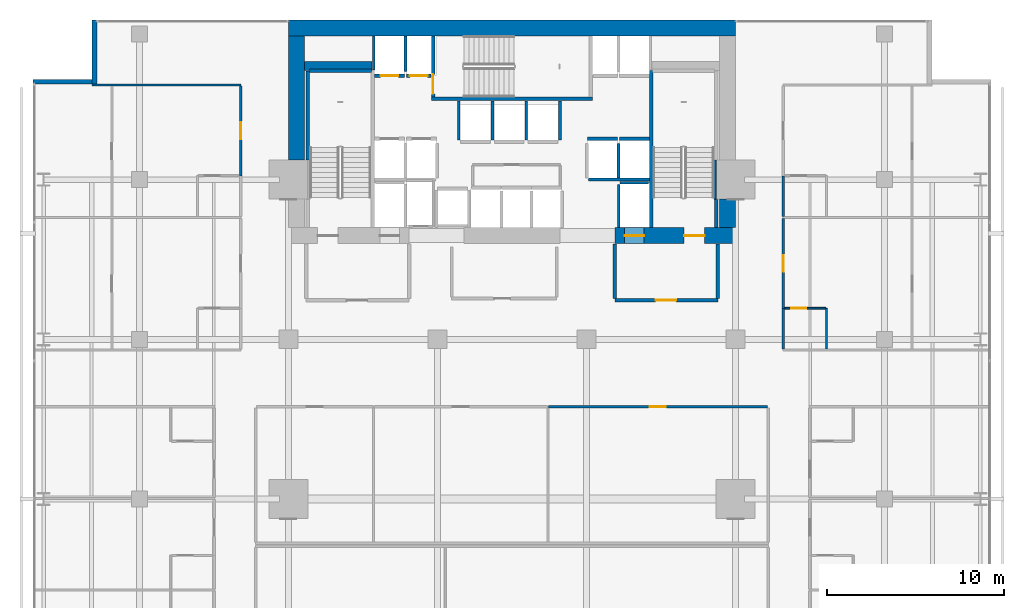
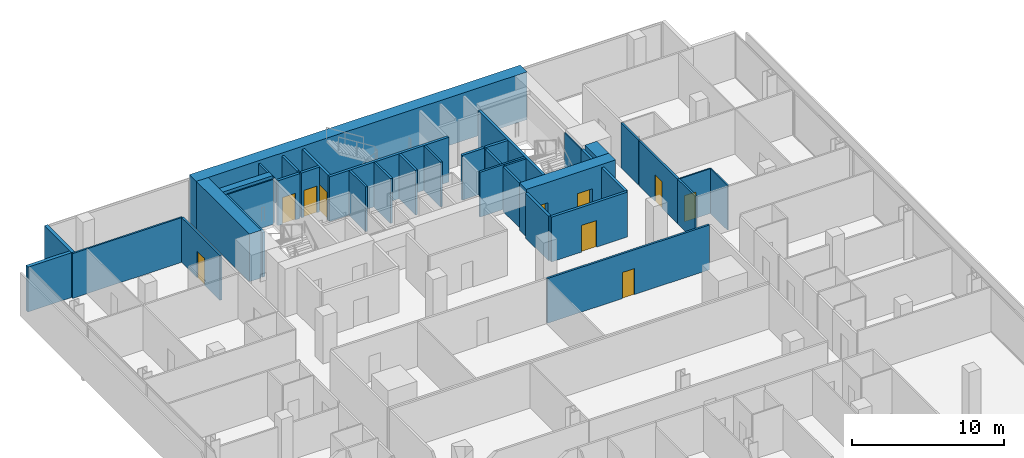
# One storey, part 36 of 40: 39 walls, 10 doors, 10 openings.
"""IFC4 building model written with IfcOpenShell, lengths in metres."""

from ifc_helpers import new_model, si_unit, direction, frame, frame_2d, origin, place, context, subcontext, project, spatial, rectangle, extrude, material, layer, layer_set, type_object, element, fill, save


model = new_model("IFC4")

# Units and contexts
model_context = context("Model", 3, precision=1e-05, world=origin(), true_north=direction((0.0, 1.0)))
body_context = subcontext(model_context, "Body", "Model", "MODEL_VIEW")
ifc_project = project(units=[si_unit("LENGTHUNIT", "METRE"), si_unit("AREAUNIT", "SQUARE_METRE"), si_unit("VOLUMEUNIT", "CUBIC_METRE"), si_unit("PLANEANGLEUNIT", "RADIAN"), si_unit("MASSUNIT", "GRAM", prefix="KILO")], contexts=[model_context])

# Site, building, storey
site_placement = place(None, origin())
site = spatial("IfcSite", under=ifc_project, at=site_placement, CompositionType="ELEMENT")
building_placement = place(site_placement, origin())
building = spatial("IfcBuilding", under=site, at=building_placement, Name="Maruvema Waterfront Hotel and Observation Tower", CompositionType="ELEMENT")
storey_placement = place(building_placement, frame((0.0, 0.0, 42.35009765625)))
storey = spatial("IfcBuildingStorey", under=building, at=storey_placement, Name="L09", CompositionType="ELEMENT", Elevation=42.35009765625)

# Wall, opening, door
ifc_material_1 = material(Name="Twin-stud acoustic gypsum drywall", Category="gypsum")
ifc_layer_1 = layer(ifc_material_1, 0.14990234375, Name="Acoustic Corridor and Suite Demising Wall 150 mm")
ifc_layer_set_1 = layer_set([ifc_layer_1], Name="Twin-stud acoustic gypsum drywall")
wall_type_1 = type_object("IfcWallType", Name="Acoustic Corridor and Suite Demising Wall 150 mm", PredefinedType="PARTITIONING", material=ifc_layer_set_1)
wall_1_placement = place(storey_placement, frame((39.85302734375, 32.199951171875, 0.0), z_axis=(0.0, 0.0, 1.0), x_axis=(1.0, 0.0, 0.0)))
wall_1 = element("IfcWall", 1, at=wall_1_placement, inside=storey, type_object=wall_type_1, Name="L09 L09-INTN Front 3 023", PredefinedType="PARTITIONING", context=body_context, shape_type="SweptSolid", body=[
    extrude(rectangle(XDim=12.3369140625, YDim=0.14990234375, at=frame_2d((6.16845703125, 0.0))), origin(), (0.0, 0.0, 1.0), 3.60986328125),
])
opening_1_placement = place(wall_1_placement, frame((5.718505859375, 0.0, 0.0)))
opening_1 = element("IfcOpeningElement", 2, at=opening_1_placement, cuts=wall_1, Name="Opening DR-090", PredefinedType="OPENING", context=body_context, shape_type="SweptSolid", body=[
    extrude(rectangle(XDim=0.89990234375, YDim=2.10009765625, at=frame_2d((0.449951171875, 1.050048828125))), frame((0.0, 0.0849609375, 0.0), z_axis=(0.0, -1.0, 0.0), x_axis=(1.0, 0.0, 0.0)), (0.0, 0.0, 1.0), 0.169921875),
])
ifc_material_2 = material(Name="Solid-core lacquered timber leaf", Category="wood")
door_type_1 = type_object("IfcDoorType", Name="Accessible Toilet and Room Door 900x2100 mm", OperationType="NOTDEFINED", PredefinedType="DOOR", material=ifc_material_2)
door_1_placement = place(opening_1_placement, origin())
door_1 = element("IfcDoor", 3, at=door_1_placement, inside=storey, type_object=door_type_1, Name="L09 Butler Kitchenette Door", OperationType="SINGLE_SWING_RIGHT", OverallHeight=2.10009765625, OverallWidth=0.89990234375, PredefinedType="DOOR", context=body_context, shape_type="SweptSolid", body=[
    extrude(rectangle(XDim=0.89990234375, YDim=2.10009765625, at=frame_2d((0.449951171875, 1.050048828125))), frame((0.0, 0.02490234375, 0.0), z_axis=(0.0, -1.0, 0.0), x_axis=(1.0, 0.0, 0.0)), (0.0, 0.0, 1.0), 0.050048828125),
])
fill(opening_1, door_1)

# Wall
wall_2_placement = place(storey_placement, frame((53.080078125, 35.4599609375, 0.0), z_axis=(0.0, 0.0, 1.0), x_axis=(0.0, 1.0, 0.0)))
element("IfcWall", 4, at=wall_2_placement, inside=storey, type_object=wall_type_1, Name="L09 Bath L09-NE1 Wall 100", PredefinedType="PARTITIONING", context=body_context, shape_type="SweptSolid", body=[
    extrude(rectangle(XDim=2.2900390625, YDim=0.14990234375, at=frame_2d((1.14501953125, 0.0))), origin(), (0.0, 0.0, 1.0), 3.60986328125),
])

# Wall, opening, door
wall_3_placement = place(storey_placement, frame((53.080078125, 37.75, 0.0), z_axis=(0.0, 0.0, 1.0), x_axis=(0.0, 1.0, 0.0)))
wall_3 = element("IfcWall", 5, at=wall_3_placement, inside=storey, type_object=wall_type_1, Name="L09 Room L09-NE1 Corridor Wall 101", PredefinedType="PARTITIONING", context=body_context, shape_type="SweptSolid", body=[
    extrude(rectangle(XDim=5.05859375, YDim=0.14990234375, at=frame_2d((2.529296875, 0.0))), origin(), (0.0, 0.0, 1.0), 3.60986328125),
])
opening_2_placement = place(wall_3_placement, frame((2.054443359375, 0.0, 0.0)))
opening_2 = element("IfcOpeningElement", 6, at=opening_2_placement, cuts=wall_3, Name="Opening DR-095", PredefinedType="OPENING", context=body_context, shape_type="SweptSolid", body=[
    extrude(rectangle(XDim=0.949951171875, YDim=2.14990234375, at=frame_2d((0.47509765625, 1.074951171875))), frame((0.0, 0.0849609375, 0.0), z_axis=(0.0, -1.0, 0.0), x_axis=(1.0, 0.0, 0.0)), (0.0, 0.0, 1.0), 0.169921875),
])
ifc_material_3 = material(Name="Acoustic solid-core hardwood timber leaf", Category="wood")
door_type_2 = type_object("IfcDoorType", Name="Guestroom Entrance Fire Door 950x2150 mm", OperationType="NOTDEFINED", PredefinedType="DOOR", material=ifc_material_3)
door_2_placement = place(opening_2_placement, frame((0.949951171875, 0.0, 0.0), z_axis=(0.0, 0.0, 1.0), x_axis=(-1.0, 0.0, 0.0)))
door_2 = element("IfcDoor", 7, at=door_2_placement, inside=storey, type_object=door_type_2, Name="L09 Room L09-NE1 Entrance Door", OperationType="SINGLE_SWING_LEFT", OverallHeight=2.14990234375, OverallWidth=0.949951171875, PredefinedType="DOOR", context=body_context, shape_type="SweptSolid", body=[
    extrude(rectangle(XDim=0.949951171875, YDim=2.14990234375, at=frame_2d((0.47509765625, 1.074951171875))), frame((0.0, 0.02490234375, 0.0), z_axis=(0.0, -1.0, 0.0), x_axis=(1.0, 0.0, 0.0)), (0.0, 0.0, 1.0), 0.050048828125),
])
fill(opening_2, door_2)

wall_4_placement = place(storey_placement, frame((22.52001953125, 45.21875, 0.0), z_axis=(0.0, 0.0, 1.0), x_axis=(0.0, 1.0, 0.0)))
wall_4 = element("IfcWall", 8, at=wall_4_placement, inside=storey, type_object=wall_type_1, Name="L09 Room L09-NW2 Corridor Wall 108", PredefinedType="PARTITIONING", context=body_context, shape_type="SweptSolid", body=[
    extrude(rectangle(XDim=5.058837890625, YDim=0.14990234375, at=frame_2d((2.529296875, 0.0))), origin(), (0.0, 0.0, 1.0), 3.60986328125),
])
opening_3_placement = place(wall_4_placement, frame((2.054443359375, 0.0, 0.0)))
opening_3 = element("IfcOpeningElement", 9, at=opening_3_placement, cuts=wall_4, Name="Opening DR-095", PredefinedType="OPENING", context=body_context, shape_type="SweptSolid", body=[
    extrude(rectangle(XDim=0.949951171875, YDim=2.14990234375, at=frame_2d((0.47509765625, 1.074951171875))), frame((0.0, 0.0849609375, 0.0), z_axis=(0.0, -1.0, 0.0), x_axis=(1.0, 0.0, 0.0)), (0.0, 0.0, 1.0), 0.169921875),
])
door_3_placement = place(opening_3_placement, origin())
door_3 = element("IfcDoor", 10, at=door_3_placement, inside=storey, type_object=door_type_2, Name="L09 Room L09-NW2 Entrance Door", OperationType="SINGLE_SWING_RIGHT", OverallHeight=2.14990234375, OverallWidth=0.949951171875, PredefinedType="DOOR", context=body_context, shape_type="SweptSolid", body=[
    extrude(rectangle(XDim=0.949951171875, YDim=2.14990234375, at=frame_2d((0.47509765625, 1.074951171875))), frame((0.0, 0.02490234375, 0.0), z_axis=(0.0, -1.0, 0.0), x_axis=(1.0, 0.0, 0.0)), (0.0, 0.0, 1.0), 0.050048828125),
])
fill(opening_3, door_3)

# Walls
wall_5_placement = place(storey_placement, frame((53.080078125, 42.9287109375, 0.0), z_axis=(0.0, 0.0, 1.0), x_axis=(0.0, 1.0, 0.0)))
element("IfcWall", 11, at=wall_5_placement, inside=storey, type_object=wall_type_1, Name="L09 Bath L09-NE2 Wall 112", PredefinedType="PARTITIONING", context=body_context, shape_type="SweptSolid", body=[
    extrude(rectangle(XDim=2.2900390625, YDim=0.14990234375, at=frame_2d((1.14501953125, 0.0))), origin(), (0.0, 0.0, 1.0), 3.60986328125),
])
ifc_material_4 = material(Name="Precast concrete C45/55", Category="concrete")
ifc_layer_2 = layer(ifc_material_4, 0.199951171875, Name="Core Shaft and Stairwell Enclosure Wall 200 mm")
ifc_layer_set_2 = layer_set([ifc_layer_2], Name="Precast concrete C45/55")
wall_type_2 = type_object("IfcWallType", Name="Core Shaft and Stairwell Enclosure Wall 200 mm", PredefinedType="SOLIDWALL", material=ifc_layer_set_2)
wall_6_placement = place(storey_placement, frame((26.300048828125, 46.1201171875, 0.0), z_axis=(0.0, 0.0, 1.0), x_axis=(0.0, 1.0, 0.0)))
element("IfcWall", 12, at=wall_6_placement, inside=storey, type_object=wall_type_2, Name="L09 Stairwell ST-01 Shaft Lining Wall", PredefinedType="SOLIDWALL", context=body_context, shape_type="SweptSolid", body=[
    extrude(rectangle(XDim=5.0, YDim=0.199951171875, at=frame_2d((2.5, 0.0))), origin(), (0.0, 0.0, 1.0), 3.60986328125),
])
wall_7_placement = place(storey_placement, frame((26.3798828125, 51.14990234375, 0.0), z_axis=(0.0, 0.0, 1.0), x_axis=(1.0, 0.0, 0.0)))
element("IfcWall", 13, at=wall_7_placement, inside=storey, type_object=wall_type_2, Name="L09 Stairwell ST-01 Shaft Lining Wall", PredefinedType="SOLIDWALL", context=body_context, shape_type="SweptSolid", body=[
    extrude(rectangle(XDim=3.5, YDim=0.199951171875, at=frame_2d((1.75, 0.0))), origin(), (0.0, 0.0, 1.0), 3.60986328125),
])
wall_8_placement = place(storey_placement, frame((33.25, 49.550048828125, 0.0), z_axis=(0.0, 0.0, 1.0), x_axis=(1.0, 0.0, 0.0)))
element("IfcWall", 14, at=wall_8_placement, inside=storey, type_object=wall_type_2, Name="L09 Stairwell ST-02 Shaft Wall", PredefinedType="SOLIDWALL", context=body_context, shape_type="SweptSolid", body=[
    extrude(rectangle(XDim=9.10009765625, YDim=0.199951171875, at=frame_2d((4.550048828125, 0.0))), origin(), (0.0, 0.0, 1.0), 3.60986328125),
])

# Wall, opening, door
wall_9_placement = place(storey_placement, frame((33.35009765625, 49.64990234375, 0.0), z_axis=(0.0, 0.0, 1.0), x_axis=(0.0, 1.0, 0.0)))
wall_9 = element("IfcWall", 15, at=wall_9_placement, inside=storey, type_object=wall_type_2, Name="L09 Stairwell ST-02 Shaft Wall", PredefinedType="SOLIDWALL", context=body_context, shape_type="SweptSolid", body=[
    extrude(rectangle(XDim=3.4501953125, YDim=0.199951171875, at=frame_2d((1.72509765625, 0.0))), origin(), (0.0, 0.0, 1.0), 3.60986328125),
])
opening_4_placement = place(wall_9_placement, frame((0.179931640625, 0.0, 0.0)))
opening_4 = element("IfcOpeningElement", 16, at=opening_4_placement, cuts=wall_9, Name="Opening SD-02", PredefinedType="OPENING", context=body_context, shape_type="SweptSolid", body=[
    extrude(rectangle(XDim=1.10009765625, YDim=2.14990234375, at=frame_2d((0.550048828125, 1.074951171875))), frame((0.0, 0.10986328125, 0.0), z_axis=(0.0, -1.0, 0.0), x_axis=(1.0, 0.0, 0.0)), (0.0, 0.0, 1.0), 0.219970703125),
])
ifc_material_5 = material(Name="Fire-rated galvanised steel leaf", Category="steel")
door_type_3 = type_object("IfcDoorType", Name="Central Exit Stair Fire Door 1100x2150 mm", OperationType="NOTDEFINED", PredefinedType="DOOR", material=ifc_material_5)
door_4_placement = place(opening_4_placement, frame((1.10009765625, 0.0, 0.0), z_axis=(0.0, 0.0, 1.0), x_axis=(-1.0, 0.0, 0.0)))
door_4 = element("IfcDoor", 17, at=door_4_placement, inside=storey, type_object=door_type_3, Name="L09 Exit Stair ST-02 Fire Door", OperationType="SINGLE_SWING_LEFT", OverallHeight=2.14990234375, OverallWidth=1.10009765625, PredefinedType="DOOR", context=body_context, shape_type="SweptSolid", body=[
    extrude(rectangle(XDim=1.10009765625, YDim=2.14990234375, at=frame_2d((0.550048828125, 1.074951171875))), frame((0.0, 0.02490234375, 0.0), z_axis=(0.0, -1.0, 0.0), x_axis=(1.0, 0.0, 0.0)), (0.0, 0.0, 1.0), 0.050048828125),
])
fill(opening_4, door_4)

# Walls
wall_10_placement = place(storey_placement, frame((45.64990234375, 42.300048828125, 0.0), z_axis=(0.0, 0.0, 1.0), x_axis=(0.0, 1.0, 0.0)))
element("IfcWall", 18, at=wall_10_placement, inside=storey, type_object=wall_type_2, Name="L09 Stairwell ST-03 West Shaft Wall", PredefinedType="SOLIDWALL", context=body_context, shape_type="SweptSolid", body=[
    extrude(rectangle(XDim=8.849853515625, YDim=0.199951171875, at=frame_2d((4.4248046875, 0.0))), origin(), (0.0, 0.0, 1.0), 3.60986328125),
])
wall_11_placement = place(storey_placement, frame((49.300048828125, 42.300048828125, 0.0), z_axis=(0.0, 0.0, 1.0), x_axis=(0.0, 1.0, 0.0)))
element("IfcWall", 19, at=wall_11_placement, inside=storey, type_object=wall_type_2, Name="L09 Stairwell ST-03 Shaft Lining Wall", PredefinedType="SOLIDWALL", context=body_context, shape_type="SweptSolid", body=[
    extrude(rectangle(XDim=1.579833984375, YDim=0.199951171875, at=frame_2d((0.7900390625, 0.0))), origin(), (0.0, 0.0, 1.0), 3.60986328125),
])

# Wall, opening, door
wall_12_placement = place(storey_placement, frame((30.06005859375, 50.85009765625, 0.0), z_axis=(0.0, 0.0, 1.0), x_axis=(1.0, 0.0, 0.0)))
wall_12 = element("IfcWall", 20, at=wall_12_placement, inside=storey, type_object=wall_type_2, Name="L09 Lift LF-03 Hoistway Front Wall", PredefinedType="SOLIDWALL", context=body_context, shape_type="SweptSolid", body=[
    extrude(rectangle(XDim=1.679931640625, YDim=0.199951171875, at=frame_2d((0.83984375, 0.0))), origin(), (0.0, 0.0, 1.0), 3.60986328125),
])
opening_5_placement = place(wall_12_placement, frame((0.340087890625, 0.0, 0.0)))
opening_5 = element("IfcOpeningElement", 21, at=opening_5_placement, cuts=wall_12, Name="Opening LD-01", PredefinedType="OPENING", context=body_context, shape_type="SweptSolid", body=[
    extrude(rectangle(XDim=1.0, YDim=2.14990234375, at=frame_2d((0.5, 1.074951171875))), frame((0.0, 0.10986328125, 0.0), z_axis=(0.0, -1.0, 0.0), x_axis=(1.0, 0.0, 0.0)), (0.0, 0.0, 1.0), 0.219970703125),
])
ifc_material_6 = material(Name="Brushed stainless steel Grade 316", Category="steel")
door_type_4 = type_object("IfcDoorType", Name="Passenger Lift Sliding Landing Door 1000x2150 mm", OperationType="SLIDING_TO_LEFT", PredefinedType="DOOR", material=ifc_material_6)
door_5_placement = place(opening_5_placement, frame((1.0, 0.0, 0.0), z_axis=(0.0, 0.0, 1.0), x_axis=(-1.0, 0.0, 0.0)))
door_5 = element("IfcDoor", 22, at=door_5_placement, inside=storey, type_object=door_type_4, Name="L09 Lift LF-03 Sliding Landing Door", OperationType="SLIDING_TO_LEFT", OverallHeight=2.14990234375, OverallWidth=1.0, PredefinedType="DOOR", context=body_context, shape_type="SweptSolid", body=[
    extrude(rectangle(XDim=1.0, YDim=2.14990234375, at=frame_2d((0.5, 1.074951171875))), frame((0.0, 0.02490234375, 0.0), z_axis=(0.0, -1.0, 0.0), x_axis=(1.0, 0.0, 0.0)), (0.0, 0.0, 1.0), 0.050048828125),
])
fill(opening_5, door_5)

wall_13_placement = place(storey_placement, frame((31.860107421875, 50.85009765625, 0.0), z_axis=(0.0, 0.0, 1.0), x_axis=(1.0, 0.0, 0.0)))
wall_13 = element("IfcWall", 23, at=wall_13_placement, inside=storey, type_object=wall_type_2, Name="L09 Lift LF-04 Hoistway Front Wall", PredefinedType="SOLIDWALL", context=body_context, shape_type="SweptSolid", body=[
    extrude(rectangle(XDim=1.3798828125, YDim=0.199951171875, at=frame_2d((0.68994140625, 0.0))), origin(), (0.0, 0.0, 1.0), 3.60986328125),
])
opening_6_placement = place(wall_13_placement, frame((0.18994140625, 0.0, 0.0)))
opening_6 = element("IfcOpeningElement", 24, at=opening_6_placement, cuts=wall_13, Name="Opening LD-01", PredefinedType="OPENING", context=body_context, shape_type="SweptSolid", body=[
    extrude(rectangle(XDim=1.0, YDim=2.14990234375, at=frame_2d((0.5, 1.074951171875))), frame((0.0, 0.10986328125, 0.0), z_axis=(0.0, -1.0, 0.0), x_axis=(1.0, 0.0, 0.0)), (0.0, 0.0, 1.0), 0.219970703125),
])
door_6_placement = place(opening_6_placement, frame((1.0, 0.0, 0.0), z_axis=(0.0, 0.0, 1.0), x_axis=(-1.0, 0.0, 0.0)))
door_6 = element("IfcDoor", 25, at=door_6_placement, inside=storey, type_object=door_type_4, Name="L09 Lift LF-04 Sliding Landing Door", OperationType="SLIDING_TO_LEFT", OverallHeight=2.14990234375, OverallWidth=1.0, PredefinedType="DOOR", context=body_context, shape_type="SweptSolid", body=[
    extrude(rectangle(XDim=1.0, YDim=2.14990234375, at=frame_2d((0.5, 1.074951171875))), frame((0.0, 0.02490234375, 0.0), z_axis=(0.0, -1.0, 0.0), x_axis=(1.0, 0.0, 0.0)), (0.0, 0.0, 1.0), 0.050048828125),
])
fill(opening_6, door_6)

# Walls
for number, where, z_axis, x_axis, name in (
    (26, (42.06005859375, 47.300048828125, 0.0), (0.0, 0.0, 1.0), (1.0, 0.0, 0.0), "L09 Lift LF-05 Hoistway Front Wall"),
    (27, (43.860107421875, 47.300048828125, 0.0), (0.0, 0.0, 1.0), (1.0, 0.0, 0.0), "L09 Lift LF-06 Hoistway Front Wall"),
):
    element("IfcWall", number, at=place(storey_placement, frame(where, z_axis=z_axis, x_axis=x_axis)), inside=storey, type_object=wall_type_2, Name=name, PredefinedType="SOLIDWALL", context=body_context, shape_type="SweptSolid", body=[
        extrude(rectangle(XDim=1.679931640625, YDim=0.199951171875, at=frame_2d((0.83984375, 0.0))), origin(), (0.0, 0.0, 1.0), 3.60986328125),
    ])
ifc_material_7 = material(Name="Concrete C70/85", Category="concrete")
ifc_layer_3 = layer(ifc_material_7, 0.5, Name="Core Shear Wall 500 mm")
ifc_layer_set_3 = layer_set([ifc_layer_3], Name="Concrete C70/85")
wall_type_3 = type_object("IfcWallType", Name="Core Shear Wall 500 mm", PredefinedType="SHEAR", material=ifc_layer_set_3)
wall_14_placement = place(storey_placement, frame((26.10009765625, 51.39990234375, 0.0), z_axis=(0.0, 0.0, 1.0), x_axis=(1.0, 0.0, 0.0)))
element("IfcWall", 28, at=wall_14_placement, inside=storey, type_object=wall_type_3, Name="L09 Internal Core Shear Wall NW 500 mm", PredefinedType="SHEAR", context=body_context, shape_type="SweptSolid", body=[
    extrude(rectangle(XDim=3.7998046875, YDim=0.5, at=frame_2d((1.89990234375, 0.0))), origin(), (0.0, 0.0, 1.0), 3.849853515625),
])
ifc_material_8 = material(Name="Concrete C80/95", Category="concrete")
ifc_layer_4 = layer(ifc_material_8, 0.89990234375, Name="Core Shear Wall 900 mm")
ifc_layer_set_4 = layer_set([ifc_layer_4], Name="Concrete C80/95")
wall_type_4 = type_object("IfcWallType", Name="Core Shear Wall 900 mm", PredefinedType="SHEAR", material=ifc_layer_set_4)
wall_15_placement = place(storey_placement, frame((25.199951171875, 53.550048828125, 0.0), z_axis=(0.0, 0.0, 1.0), x_axis=(1.0, 0.0, 0.0)))
element("IfcWall", 29, at=wall_15_placement, inside=storey, type_object=wall_type_4, Name="L09 North Core Shear Wall", PredefinedType="SHEAR", context=body_context, shape_type="SweptSolid", body=[
    extrude(rectangle(XDim=25.199951171875, YDim=0.89990234375, at=frame_2d((12.60009765625, 0.0))), origin(), (0.0, 0.0, 1.0), 3.849853515625),
])

# Wall, openings, doors
wall_16_placement = place(storey_placement, frame((43.60009765625, 41.85009765625, 0.0), z_axis=(0.0, 0.0, 1.0), x_axis=(1.0, 0.0, 0.0)))
wall_16 = element("IfcWall", 30, at=wall_16_placement, inside=storey, type_object=wall_type_4, Name="L09 South-East Core Shear Wall", PredefinedType="SHEAR", context=body_context, shape_type="SweptSolid", body=[
    extrude(rectangle(XDim=6.7998046875, YDim=0.89990234375, at=frame_2d((3.39990234375, 0.0))), origin(), (0.0, 0.0, 1.0), 3.849853515625),
])
opening_7_placement = place(wall_16_placement, frame((3.89990234375, 0.0, 0.0)))
opening_7 = element("IfcOpeningElement", 31, at=opening_7_placement, cuts=wall_16, Name="Opening SD-01", PredefinedType="OPENING", context=body_context, shape_type="SweptSolid", body=[
    extrude(rectangle(XDim=1.14990234375, YDim=2.14990234375, at=frame_2d((0.574951171875, 1.074951171875))), frame((0.0, 0.4599609375, 0.0), z_axis=(0.0, -1.0, 0.0), x_axis=(1.0, 0.0, 0.0)), (0.0, 0.0, 1.0), 0.919921875),
])
opening_8_placement = place(wall_16_placement, frame((0.550048828125, 0.0, 0.0)))
opening_8 = element("IfcOpeningElement", 32, at=opening_8_placement, cuts=wall_16, Name="Opening LD-03", PredefinedType="OPENING", context=body_context, shape_type="SweptSolid", body=[
    extrude(rectangle(XDim=1.10009765625, YDim=2.199951171875, at=frame_2d((0.550048828125, 1.10009765625))), frame((0.0, 0.4599609375, 0.0), z_axis=(0.0, -1.0, 0.0), x_axis=(1.0, 0.0, 0.0)), (0.0, 0.0, 1.0), 0.919921875),
])
ifc_material_9 = material(Name="Fire-rated galvanised steel leaf", Category="steel")
door_type_5 = type_object("IfcDoorType", Name="Exit Stair Fire Door 1150x2150 mm", OperationType="NOTDEFINED", PredefinedType="DOOR", material=ifc_material_9)
door_7_placement = place(opening_7_placement, origin())
door_7 = element("IfcDoor", 33, at=door_7_placement, inside=storey, type_object=door_type_5, Name="L09 Exit Stair ST-03 Fire Door", OperationType="SINGLE_SWING_RIGHT", OverallHeight=2.14990234375, OverallWidth=1.14990234375, PredefinedType="DOOR", context=body_context, shape_type="SweptSolid", body=[
    extrude(rectangle(XDim=1.14990234375, YDim=2.14990234375, at=frame_2d((0.574951171875, 1.074951171875))), frame((0.0, 0.02490234375, 0.0), z_axis=(0.0, -1.0, 0.0), x_axis=(1.0, 0.0, 0.0)), (0.0, 0.0, 1.0), 0.050048828125),
])
fill(opening_7, door_7)
ifc_material_10 = material(Name="Brushed stainless steel Grade 316", Category="steel")
door_type_6 = type_object("IfcDoorType", Name="Firefighting Lift Sliding Landing Door 1100x2200 mm", OperationType="SLIDING_TO_LEFT", PredefinedType="DOOR", material=ifc_material_10)
door_8_placement = place(opening_8_placement, frame((1.10009765625, 0.0, 0.0), z_axis=(0.0, 0.0, 1.0), x_axis=(-1.0, 0.0, 0.0)))
door_8 = element("IfcDoor", 34, at=door_8_placement, inside=storey, type_object=door_type_6, Name="L09 Firefighting Lift FL-02 Landing Door", OperationType="SLIDING_TO_LEFT", OverallHeight=2.199951171875, OverallWidth=1.10009765625, PredefinedType="DOOR", context=body_context, shape_type="SweptSolid", body=[
    extrude(rectangle(XDim=1.10009765625, YDim=2.199951171875, at=frame_2d((0.550048828125, 1.10009765625))), frame((0.0, 0.02490234375, 0.0), z_axis=(0.0, -1.0, 0.0), x_axis=(1.0, 0.0, 0.0)), (0.0, 0.0, 1.0), 0.050048828125),
])
fill(opening_8, door_8)

# Walls
wall_17_placement = place(storey_placement, frame((25.64990234375, 46.10009765625, 0.0), z_axis=(0.0, 0.0, 1.0), x_axis=(0.0, 1.0, 0.0)))
element("IfcWall", 35, at=wall_17_placement, inside=storey, type_object=wall_type_4, Name="L09 West-North Core Shear Wall", PredefinedType="SHEAR", context=body_context, shape_type="SweptSolid", body=[
    extrude(rectangle(XDim=7.0, YDim=0.89990234375, at=frame_2d((3.5, 0.0))), origin(), (0.0, 0.0, 1.0), 3.849853515625),
])
wall_18_placement = place(storey_placement, frame((49.949951171875, 42.300048828125, 0.0), z_axis=(0.0, 0.0, 1.0), x_axis=(0.0, 1.0, 0.0)))
element("IfcWall", 36, at=wall_18_placement, inside=storey, type_object=wall_type_4, Name="L09 East-South Core Shear Wall", PredefinedType="SHEAR", context=body_context, shape_type="SweptSolid", body=[
    extrude(rectangle(XDim=1.599853515625, YDim=0.89990234375, at=frame_2d((0.7998046875, 0.0))), origin(), (0.0, 0.0, 1.0), 3.849853515625),
])
ifc_material_11 = material(Name="Moisture-resistant cement-board drywall", Category="gypsum")
ifc_layer_5 = layer(ifc_material_11, 0.10009765625, Name="En-Suite Moisture-Resistant Partition 100 mm")
ifc_layer_set_5 = layer_set([ifc_layer_5], Name="Moisture-resistant cement-board drywall")
wall_type_5 = type_object("IfcWallType", Name="En-Suite Moisture-Resistant Partition 100 mm", PredefinedType="PARTITIONING", material=ifc_layer_set_5)
wall_19_placement = place(storey_placement, frame((55.530029296875, 35.4599609375, 0.0), z_axis=(0.0, 0.0, 1.0), x_axis=(0.0, 1.0, 0.0)))
element("IfcWall", 37, at=wall_19_placement, inside=storey, type_object=wall_type_5, Name="L09 En-Suite L09-NE1 E 102", PredefinedType="PARTITIONING", context=body_context, shape_type="SweptSolid", body=[
    extrude(rectangle(XDim=2.2900390625, YDim=0.10009765625, at=frame_2d((1.14501953125, 0.0))), origin(), (0.0, 0.0, 1.0), 3.60986328125),
])

# Wall, opening, door
wall_20_placement = place(storey_placement, frame((53.179931640625, 37.75, 0.0), z_axis=(0.0, 0.0, 1.0), x_axis=(1.0, 0.0, 0.0)))
wall_20 = element("IfcWall", 38, at=wall_20_placement, inside=storey, type_object=wall_type_5, Name="L09 En-Suite L09-NE1 N 103", PredefinedType="PARTITIONING", context=body_context, shape_type="SweptSolid", body=[
    extrude(rectangle(XDim=2.300048828125, YDim=0.10009765625, at=frame_2d((1.14990234375, 0.0))), origin(), (0.0, 0.0, 1.0), 3.60986328125),
])
opening_9_placement = place(wall_20_placement, frame((0.35009765625, 0.0, 0.0)))
opening_9 = element("IfcOpeningElement", 39, at=opening_9_placement, cuts=wall_20, Name="Opening DR-085", PredefinedType="OPENING", context=body_context, shape_type="SweptSolid", body=[
    extrude(rectangle(XDim=0.85009765625, YDim=2.10009765625, at=frame_2d((0.425048828125, 1.050048828125))), frame((0.0, 0.06005859375, 0.0), z_axis=(0.0, -1.0, 0.0), x_axis=(1.0, 0.0, 0.0)), (0.0, 0.0, 1.0), 0.1201171875),
])
ifc_material_12 = material(Name="Moisture-resistant solid timber leaf", Category="wood")
door_type_7 = type_object("IfcDoorType", Name="En-Suite Bathroom Door 850x2100 mm", OperationType="NOTDEFINED", PredefinedType="DOOR", material=ifc_material_12)
door_9_placement = place(opening_9_placement, origin())
door_9 = element("IfcDoor", 40, at=door_9_placement, inside=storey, type_object=door_type_7, Name="L09 En-Suite L09-NE1 Door", OperationType="SINGLE_SWING_RIGHT", OverallHeight=2.10009765625, OverallWidth=0.85009765625, PredefinedType="DOOR", context=body_context, shape_type="SweptSolid", body=[
    extrude(rectangle(XDim=0.85009765625, YDim=2.10009765625, at=frame_2d((0.425048828125, 1.050048828125))), frame((0.0, 0.02490234375, 0.0), z_axis=(0.0, -1.0, 0.0), x_axis=(1.0, 0.0, 0.0)), (0.0, 0.0, 1.0), 0.050048828125),
])
fill(opening_9, door_9)

# Walls
ifc_material_13 = material(Name="Precast concrete C45/55 with honed Pernambuco granite facing", Category="masonry")
ifc_layer_6 = layer(ifc_material_13, 0.260009765625, Name="Exterior Granite Clad Spandrel and Pier Wall 260 mm")
ifc_layer_set_6 = layer_set([ifc_layer_6], Name="Precast concrete C45/55 with honed Pernambuco granite facing")
wall_type_6 = type_object("IfcWallType", Name="Exterior Granite Clad Spandrel and Pier Wall 260 mm", PredefinedType="SOLIDWALL", material=ifc_layer_set_6)
wall_21_placement = place(storey_placement, frame((14.27001953125, 50.39990234375, 0.0), z_axis=(0.0, 0.0, 1.0), x_axis=(0.0, 1.0, 0.0)))
element("IfcWall", 41, at=wall_21_placement, inside=storey, type_object=wall_type_6, Name="L09 Corner Notch Granite Pier Wall NW1", PredefinedType="SOLIDWALL", context=body_context, shape_type="SweptSolid", body=[
    extrude(rectangle(XDim=3.60009765625, YDim=0.260009765625, at=frame_2d((1.800048828125, 0.0))), origin(), (0.0, 0.0, 1.0), 3.60986328125),
])
wall_22_placement = place(storey_placement, frame((10.800048828125, 50.530029296875, 0.0), z_axis=(0.0, 0.0, 1.0), x_axis=(1.0, 0.0, 0.0)))
element("IfcWall", 42, at=wall_22_placement, inside=storey, type_object=wall_type_6, Name="L09 Corner Notch Granite Pier Wall NW2", PredefinedType="SOLIDWALL", context=body_context, shape_type="SweptSolid", body=[
    extrude(rectangle(XDim=3.599853515625, YDim=0.260009765625, at=frame_2d((1.7998046875, 0.0))), origin(), (0.0, 0.0, 1.0), 3.60986328125),
])

# Wall, opening, door
ifc_material_14 = material(Name="Autoclaved cellular concrete blockwork", Category="masonry")
ifc_layer_7 = layer(ifc_material_14, 0.199951171875, Name="Fire Compartment Masonry Wall 200 mm")
ifc_layer_set_7 = layer_set([ifc_layer_7], Name="Autoclaved cellular concrete blockwork")
wall_type_7 = type_object("IfcWallType", Name="Fire Compartment Masonry Wall 200 mm", PredefinedType="PARTITIONING", material=ifc_layer_set_7)
wall_23_placement = place(storey_placement, frame((43.60009765625, 38.199951171875, 0.0), z_axis=(0.0, 0.0, 1.0), x_axis=(1.0, 0.0, 0.0)))
wall_23 = element("IfcWall", 43, at=wall_23_placement, inside=storey, type_object=wall_type_7, Name="L09 FFL East South Wall 004", PredefinedType="PARTITIONING", context=body_context, shape_type="SweptSolid", body=[
    extrude(rectangle(XDim=5.7998046875, YDim=0.199951171875, at=frame_2d((2.89990234375, 0.0))), origin(), (0.0, 0.0, 1.0), 3.60986328125),
])
opening_10_placement = place(wall_23_placement, frame((2.300048828125, 0.0, 0.0)))
opening_10 = element("IfcOpeningElement", 44, at=opening_10_placement, cuts=wall_23, Name="Opening FD-115", PredefinedType="OPENING", context=body_context, shape_type="SweptSolid", body=[
    extrude(rectangle(XDim=1.14990234375, YDim=2.14990234375, at=frame_2d((0.574951171875, 1.074951171875))), frame((0.0, 0.10986328125, 0.0), z_axis=(0.0, -1.0, 0.0), x_axis=(1.0, 0.0, 0.0)), (0.0, 0.0, 1.0), 0.219970703125),
])
ifc_material_15 = material(Name="Fire-rated galvanised steel and vision glass", Category="steel")
door_type_8 = type_object("IfcDoorType", Name="Firefighting Lobby Fire Door 1150x2150 mm", OperationType="NOTDEFINED", PredefinedType="DOOR", material=ifc_material_15)
door_10_placement = place(opening_10_placement, frame((1.14990234375, 0.0, 0.0), z_axis=(0.0, 0.0, 1.0), x_axis=(-1.0, 0.0, 0.0)))
door_10 = element("IfcDoor", 45, at=door_10_placement, inside=storey, type_object=door_type_8, Name="L09 Firefighting Lobby East Door", OperationType="SINGLE_SWING_RIGHT", OverallHeight=2.14990234375, OverallWidth=1.14990234375, PredefinedType="DOOR", context=body_context, shape_type="SweptSolid", body=[
    extrude(rectangle(XDim=1.14990234375, YDim=2.14990234375, at=frame_2d((0.574951171875, 1.074951171875))), frame((0.0, 0.02490234375, 0.0), z_axis=(0.0, -1.0, 0.0), x_axis=(1.0, 0.0, 0.0)), (0.0, 0.0, 1.0), 0.050048828125),
])
fill(opening_10, door_10)

# Walls
for number, where, z_axis, x_axis, name in (
    (46, (43.60009765625, 38.31005859375, 0.0), (0.0, 0.0, 1.0), (0.0, 1.0, 0.0), "L09 FFL East West Wall 005"),
    (47, (49.39990234375, 38.31005859375, 0.0), (0.0, 0.0, 1.0), (0.0, 1.0, 0.0), "L09 FFL East East Wall 006"),
):
    element("IfcWall", number, at=place(storey_placement, frame(where, z_axis=z_axis, x_axis=x_axis)), inside=storey, type_object=wall_type_7, Name=name, PredefinedType="PARTITIONING", context=body_context, shape_type="SweptSolid", body=[
        extrude(rectangle(XDim=3.06982421875, YDim=0.199951171875, at=frame_2d((1.534912109375, 0.0))), origin(), (0.0, 0.0, 1.0), 3.60986328125),
    ])
ifc_material_16 = material(Name="Acoustic gypsum plasterboard drywall", Category="gypsum")
ifc_layer_8 = layer(ifc_material_16, 0.125, Name="Guestroom Acoustic Demising Wall 125 mm")
ifc_layer_set_8 = layer_set([ifc_layer_8], Name="Acoustic gypsum plasterboard drywall")
wall_type_8 = type_object("IfcWallType", Name="Guestroom Acoustic Demising Wall 125 mm", PredefinedType="PARTITIONING", material=ifc_layer_set_8)
wall_24_placement = place(storey_placement, frame((14.139892578125, 50.33740234375, 0.0), z_axis=(0.0, 0.0, 1.0), x_axis=(1.0, 0.0, 0.0)))
element("IfcWall", 48, at=wall_24_placement, inside=storey, type_object=wall_type_8, Name="L09 NW Top End 093", PredefinedType="PARTITIONING", context=body_context, shape_type="SweptSolid", body=[
    extrude(rectangle(XDim=8.380126953125, YDim=0.125, at=frame_2d((4.18994140625, 0.0))), origin(), (0.0, 0.0, 1.0), 3.60986328125),
])
ifc_material_17 = material(Name="Precast concrete C45/55", Category="concrete")
ifc_layer_9 = layer(ifc_material_17, 0.159912109375, Name="Lift Hoistway Divider Wall 160 mm")
ifc_layer_set_9 = layer_set([ifc_layer_9], Name="Precast concrete C45/55")
wall_type_9 = type_object("IfcWallType", Name="Lift Hoistway Divider Wall 160 mm", PredefinedType="SOLIDWALL", material=ifc_layer_set_9)
wall_25_placement = place(storey_placement, frame((43.89990234375, 44.830078125, 0.0), z_axis=(0.0, 0.0, 1.0), x_axis=(1.0, 0.0, 0.0)))
element("IfcWall", 49, at=wall_25_placement, inside=storey, type_object=wall_type_9, Name="L09 Lift FL-02 Rear Hoistway Wall", PredefinedType="SOLIDWALL", context=body_context, shape_type="SweptSolid", body=[
    extrude(rectangle(XDim=1.60009765625, YDim=0.159912109375, at=frame_2d((0.800048828125, 0.0))), origin(), (0.0, 0.0, 1.0), 3.60986328125),
])
wall_26_placement = place(storey_placement, frame((43.820068359375, 42.300048828125, 0.0), z_axis=(0.0, 0.0, 1.0), x_axis=(0.0, 1.0, 0.0)))
element("IfcWall", 50, at=wall_26_placement, inside=storey, type_object=wall_type_9, Name="L09 Lift FL-02 Inner Hoistway Wall", PredefinedType="SOLIDWALL", context=body_context, shape_type="SweptSolid", body=[
    extrude(rectangle(XDim=2.43994140625, YDim=0.159912109375, at=frame_2d((1.219970703125, 0.0))), origin(), (0.0, 0.0, 1.0), 3.60986328125),
])
wall_27_placement = place(storey_placement, frame((30.010009765625, 51.179931640625, 0.0), z_axis=(0.0, 0.0, 1.0), x_axis=(0.0, 1.0, 0.0)))
element("IfcWall", 51, at=wall_27_placement, inside=storey, type_object=wall_type_9, Name="L09 Hoistway Divider Wall", PredefinedType="SOLIDWALL", context=body_context, shape_type="SweptSolid", body=[
    extrude(rectangle(XDim=1.920166015625, YDim=0.159912109375, at=frame_2d((0.9599609375, 0.0))), origin(), (0.0, 0.0, 1.0), 3.60986328125),
])
wall_28_placement = place(storey_placement, frame((31.800048828125, 51.10009765625, 0.0), z_axis=(0.0, 0.0, 1.0), x_axis=(0.0, 1.0, 0.0)))
element("IfcWall", 52, at=wall_28_placement, inside=storey, type_object=wall_type_9, Name="L09 Hoistway Divider Wall", PredefinedType="SOLIDWALL", context=body_context, shape_type="SweptSolid", body=[
    extrude(rectangle(XDim=2.0, YDim=0.159912109375, at=frame_2d((1.0, 0.0))), origin(), (0.0, 0.0, 1.0), 3.60986328125),
])
wall_29_placement = place(storey_placement, frame((43.800048828125, 45.10009765625, 0.0), z_axis=(0.0, 0.0, 1.0), x_axis=(0.0, 1.0, 0.0)))
element("IfcWall", 53, at=wall_29_placement, inside=storey, type_object=wall_type_9, Name="L09 Hoistway Divider Wall", PredefinedType="SOLIDWALL", context=body_context, shape_type="SweptSolid", body=[
    extrude(rectangle(XDim=1.949951171875, YDim=0.159912109375, at=frame_2d((0.97509765625, 0.0))), origin(), (0.0, 0.0, 1.0), 3.60986328125),
])
wall_30_placement = place(storey_placement, frame((42.10009765625, 45.010009765625, 0.0), z_axis=(0.0, 0.0, 1.0), x_axis=(1.0, 0.0, 0.0)))
element("IfcWall", 54, at=wall_30_placement, inside=storey, type_object=wall_type_9, Name="L09 Hoistway Divider Wall", PredefinedType="SOLIDWALL", context=body_context, shape_type="SweptSolid", body=[
    extrude(rectangle(XDim=3.449951171875, YDim=0.159912109375, at=frame_2d((1.72509765625, 0.0))), origin(), (0.0, 0.0, 1.0), 3.60986328125),
])
for number, where, z_axis, x_axis, name in (
    (55, (34.800048828125, 47.25, 0.0), (0.0, 0.0, 1.0), (0.0, 1.0, 0.0), "L09 Hoistway Divider Wall"),
    (56, (36.699951171875, 47.25, 0.0), (0.0, 0.0, 1.0), (0.0, 1.0, 0.0), "L09 Hoistway Divider Wall"),
    (57, (38.60009765625, 47.25, 0.0), (0.0, 0.0, 1.0), (0.0, 1.0, 0.0), "L09 Hoistway Divider Wall"),
    (58, (40.5, 47.25, 0.0), (0.0, 0.0, 1.0), (0.0, 1.0, 0.0), "L09 Hoistway Divider Wall"),
):
    element("IfcWall", number, at=place(storey_placement, frame(where, z_axis=z_axis, x_axis=x_axis)), inside=storey, type_object=wall_type_9, Name=name, PredefinedType="SOLIDWALL", context=body_context, shape_type="SweptSolid", body=[
        extrude(rectangle(XDim=2.18994140625, YDim=0.159912109375, at=frame_2d((1.094970703125, 0.0))), origin(), (0.0, 0.0, 1.0), 3.60986328125),
    ])
ifc_material_18 = material(Name="Precast concrete C45/55", Category="concrete")
ifc_layer_10 = layer(ifc_material_18, 0.10009765625, Name="Stairwell Stringer Cheek Wall 100 mm")
ifc_layer_set_10 = layer_set([ifc_layer_10], Name="Precast concrete C45/55")
wall_type_10 = type_object("IfcWallType", Name="Stairwell Stringer Cheek Wall 100 mm", PredefinedType="SOLIDWALL", material=ifc_layer_set_10)
wall_31_placement = place(storey_placement, frame((49.248046875, 43.89990234375, 0.0), z_axis=(0.0, 0.0, 1.0), x_axis=(0.0, 1.0, 0.0)))
element("IfcWall", 59, at=wall_31_placement, inside=storey, type_object=wall_type_10, Name="L09 Stairwell ST-03 Mega-Column Cheek Wall", PredefinedType="SOLIDWALL", context=body_context, shape_type="SweptSolid", body=[
    extrude(rectangle(XDim=2.2001953125, YDim=0.10009765625, at=frame_2d((1.10009765625, 0.0))), origin(), (0.0, 0.0, 1.0), 3.60986328125),
])

save(model, "model.ifc")
